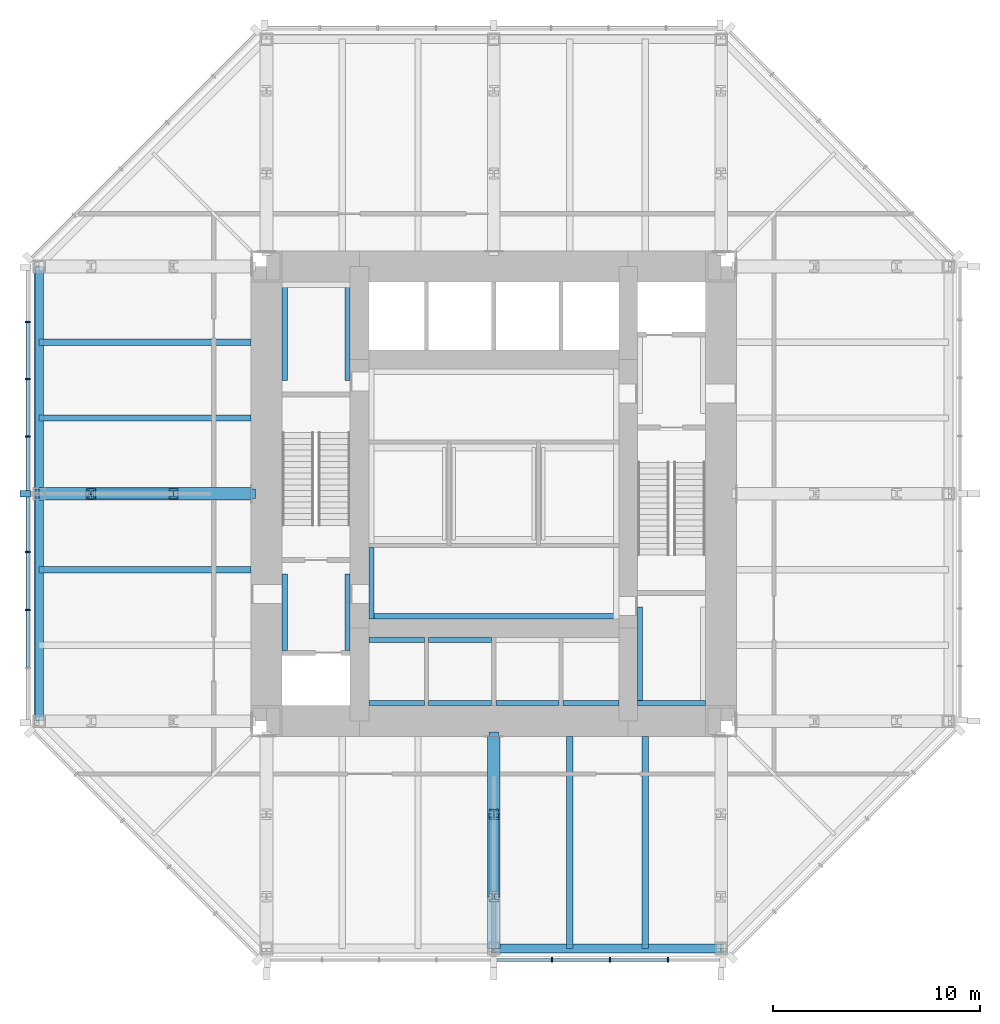
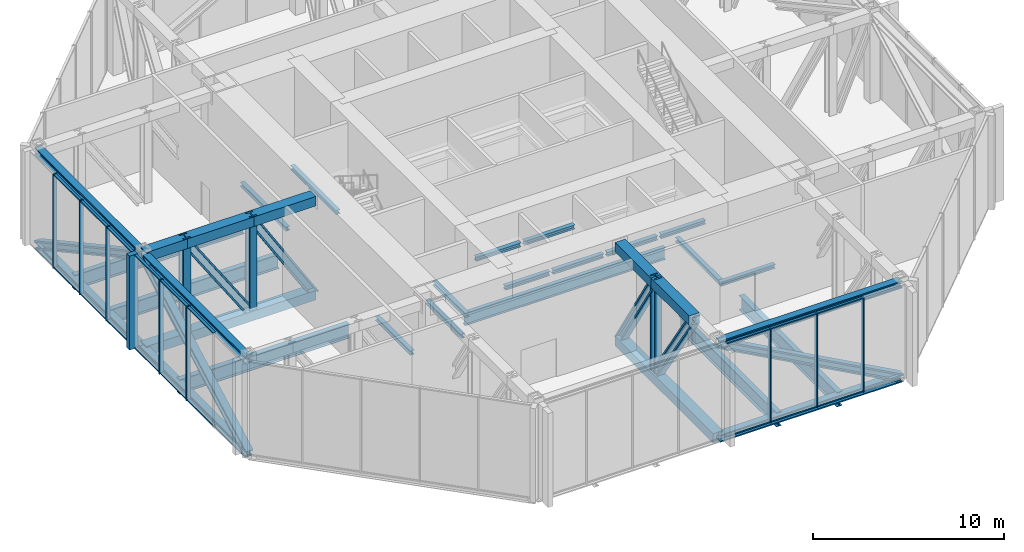
# One storey, part 3 of 11: 38 members, 32 beams, 2 elements without a shape of their own.
"""IFC4 building model written with IfcOpenShell, lengths in metres."""

from ifc_helpers import new_model, si_unit, direction, frame, origin, origin_2d, place, context, subcontext, project, spatial, rectangle, hollow_rectangle, i_section, extrude, material, material_profile, profile_set, type_object, element, aggregate, save


model = new_model("IFC4")

# Units and contexts
model_context = context("Model", 3, precision=1e-05, world=origin(), true_north=direction((0.0, 1.0)))
body_context = subcontext(model_context, "Body", "Model", "MODEL_VIEW")
ifc_project = project(units=[si_unit("LENGTHUNIT", "METRE"), si_unit("AREAUNIT", "SQUARE_METRE"), si_unit("VOLUMEUNIT", "CUBIC_METRE"), si_unit("PLANEANGLEUNIT", "RADIAN"), si_unit("MASSUNIT", "GRAM", prefix="KILO")], contexts=[model_context])

# Site, building, storey
site_placement = place(None, origin())
site = spatial("IfcSite", under=ifc_project, at=site_placement, CompositionType="ELEMENT")
building_placement = place(site_placement, origin())
building = spatial("IfcBuilding", under=site, at=building_placement, Name="Trevanion Tower", CompositionType="ELEMENT")
storey_placement = place(building_placement, frame((0.0, 0.0, 178.699951171875)))
storey = spatial("IfcBuildingStorey", under=building, at=storey_placement, Name="L42", CompositionType="ELEMENT", Elevation=178.699951171875)

# Beams
ifc_material_1 = material(Name="Steel ASTM A992 Grade 50", Category="steel")
ifc_material_profile_1 = material_profile(ifc_material_1, i_section(OverallWidth=0.307373046875, OverallDepth=0.922119140625, WebThickness=0.018310546875, FlangeThickness=0.030029296875, at=origin_2d()), Name="W36X182")
ifc_profile_set_1 = profile_set([ifc_material_profile_1], Name="Steel ASTM A992 Grade 50")
beam_type_1 = type_object("IfcBeamType", Name="B9 W36X182", PredefinedType="BEAM", material=ifc_profile_set_1)
for number, where, z_axis, x_axis, name in (
    (1, (-11.75, 7.333251953125, -0.65087890625), (-1.0, 0.0, 0.0), (0.0, -1.0, 0.0), "B9 L42"),
    (2, (-11.75, 3.666748046875, -0.65087890625), (-1.0, 0.0, 0.0), (0.0, -1.0, 0.0), "B9 L42"),
    (3, (-11.75, -3.666748046875, -0.65087890625), (-1.0, 0.0, 0.0), (0.0, -1.0, 0.0), "B9 L42"),
    (4, (3.666748046875, -11.75, -0.65087890625), (0.0, -1.0, 0.0), (1.0, 0.0, 0.0), "B9 L42"),
    (5, (7.333251953125, -11.75, -0.65087890625), (0.0, -1.0, 0.0), (1.0, 0.0, 0.0), "B9 L42"),
):
    element("IfcBeam", number, at=place(storey_placement, frame(where, z_axis=z_axis, x_axis=x_axis)), inside=storey, type_object=beam_type_1, Name=name, PredefinedType="BEAM", context=body_context, shape_type="SweptSolid", body=[
        extrude(i_section(OverallWidth=0.307373046875, OverallDepth=0.922119140625, WebThickness=0.018310546875, FlangeThickness=0.030029296875, at=origin_2d()), origin(), (0.0, 0.0, 1.0), 10.25),
    ])
ifc_material_2 = material(Name="Steel ASTM A992 Grade 50", Category="steel")
ifc_material_profile_2 = material_profile(ifc_material_2, i_section(OverallWidth=0.421630859375, OverallDepth=0.46484375, WebThickness=0.044921875, FlangeThickness=0.072509765625, at=origin_2d()), Name="W14X398")
ifc_profile_set_2 = profile_set([ifc_material_profile_2], Name="Steel ASTM A992 Grade 50")
beam_type_2 = type_object("IfcBeamType", Name="BT2-CH W14X398", PredefinedType="BEAM", material=ifc_profile_set_2)
for number, where, z_axis, x_axis, name in (
    (6, (-22.0, 11.0, -0.494873046875), (0.0, -1.0, 0.0), (1.0, 0.0, 0.0), "BT2 belt truss chord"),
    (7, (-22.0, 11.0, 5.505126953125), (0.0, -1.0, 0.0), (1.0, 0.0, 0.0), "BT2 belt truss chord"),
    (8, (-22.0, 0.0, -0.494873046875), (0.0, -1.0, 0.0), (1.0, 0.0, 0.0), "BT2 belt truss chord"),
    (9, (-22.0, 0.0, 5.505126953125), (0.0, -1.0, 0.0), (1.0, 0.0, 0.0), "BT2 belt truss chord"),
    (10, (0.0, -22.0, -0.494873046875), (1.0, 0.0, 0.0), (0.0, 1.0, 0.0), "BT2 belt truss chord"),
    (11, (0.0, -22.0, 5.505126953125), (1.0, 0.0, 0.0), (0.0, 1.0, 0.0), "BT2 belt truss chord"),
):
    element("IfcBeam", number, at=place(storey_placement, frame(where, z_axis=z_axis, x_axis=x_axis)), inside=storey, type_object=beam_type_2, Name=name, PredefinedType="BEAM", context=body_context, shape_type="SweptSolid", body=[
        extrude(i_section(OverallWidth=0.421630859375, OverallDepth=0.46484375, WebThickness=0.044921875, FlangeThickness=0.072509765625, at=origin_2d()), origin(), (0.0, 0.0, 1.0), 11.0),
    ])

# Members
ifc_material_3 = material(Name="Steel ASTM A992 Grade 50", Category="steel")
ifc_material_profile_3 = material_profile(ifc_material_3, i_section(OverallWidth=0.431884765625, OverallDepth=0.497802734375, WebThickness=0.0556640625, FlangeThickness=0.0888671875, at=origin_2d()), Name="W14X500")
ifc_profile_set_3 = profile_set([ifc_material_profile_3], Name="Steel ASTM A992 Grade 50")
member_type_1 = type_object("IfcMemberType", Name="BT2-D W14X500", PredefinedType="BRACE", material=ifc_profile_set_3)
for number, where, z_axis, x_axis, name in (
    (12, (-22.0, 11.0, -0.494873046875), (0.0, -0.877895572914, 0.478852130681), (1.0, 0.0, 0.0), "BT2 belt truss diagonal"),
    (13, (-22.0, -11.0, -0.494873046875), (0.0, 0.877895572914, 0.478852130681), (-1.0, 0.0, 0.0), "BT2 belt truss diagonal"),
    (14, (11.0, -22.0, -0.494873046875), (-0.877895572914, 0.0, 0.478852130681), (0.0, -1.0, 0.0), "BT2 belt truss diagonal"),
):
    element("IfcMember", number, at=place(storey_placement, frame(where, z_axis=z_axis, x_axis=x_axis)), inside=storey, type_object=member_type_1, Name=name, PredefinedType="BRACE", context=body_context, shape_type="SweptSolid", body=[
        extrude(i_section(OverallWidth=0.431884765625, OverallDepth=0.497802734375, WebThickness=0.0556640625, FlangeThickness=0.0888671875, at=origin_2d()), origin(), (0.0, 0.0, 1.0), 12.530029296875),
    ])

# Curtain wall, members
ifc_material_4 = material(Name="Aluminium louvres", Category="aluminium")
curtain_wall_type = type_object("IfcCurtainWallType", Name="CWL curtain wall", PredefinedType="USERDEFINED", material=ifc_material_4)
curtain_wall_1_placement = place(storey_placement, origin())
curtain_wall_1 = element("IfcCurtainWall", 15, at=curtain_wall_1_placement, inside=storey, type_object=curtain_wall_type, Name="CWL L42 4", ObjectType="LOUVRE SCREEN", PredefinedType="USERDEFINED")
ifc_material_5 = material(Name="Aluminium extrusion, anodised bronze", Category="aluminium")
ifc_material_profile_4 = material_profile(ifc_material_5, rectangle(XDim=0.074951171875, YDim=0.25, at=origin_2d()), Name="CWL mullion")
ifc_profile_set_4 = profile_set([ifc_material_profile_4], Name="Aluminium extrusion, anodised bronze")
member_type_2 = type_object("IfcMemberType", Name="CWL mullion", PredefinedType="MULLION", material=ifc_profile_set_4)
member_1_placement = place(storey_placement, frame((-22.550048828125, 8.323486328125, -0.18994140625), z_axis=(0.0, 0.0, 1.0), x_axis=(0.0, -1.0, 0.0)))
member_1 = element("IfcMember", 16, at=member_1_placement, type_object=member_type_2, Name="CWL mullion 2", PredefinedType="MULLION", context=body_context, shape_type="SweptSolid", body=[
    extrude(rectangle(XDim=0.074951171875, YDim=0.25, at=origin_2d()), origin(), (0.0, 0.0, 1.0), 6.0),
])
member_2_placement = place(storey_placement, frame((-22.550048828125, 5.548828125, -0.18994140625), z_axis=(0.0, 0.0, 1.0), x_axis=(0.0, -1.0, 0.0)))
member_2 = element("IfcMember", 17, at=member_2_placement, type_object=member_type_2, Name="CWL mullion 3", PredefinedType="MULLION", context=body_context, shape_type="SweptSolid", body=[
    extrude(rectangle(XDim=0.074951171875, YDim=0.25, at=origin_2d()), origin(), (0.0, 0.0, 1.0), 6.0),
])
member_3_placement = place(storey_placement, frame((-22.550048828125, 2.7744140625, -0.18994140625), z_axis=(0.0, 0.0, 1.0), x_axis=(0.0, -1.0, 0.0)))
member_3 = element("IfcMember", 18, at=member_3_placement, type_object=member_type_2, Name="CWL mullion 4", PredefinedType="MULLION", context=body_context, shape_type="SweptSolid", body=[
    extrude(rectangle(XDim=0.074951171875, YDim=0.25, at=origin_2d()), origin(), (0.0, 0.0, 1.0), 6.0),
])
member_4_placement = place(storey_placement, frame((-22.550048828125, -2.806884765625, -0.18994140625), z_axis=(0.0, 0.0, 1.0), x_axis=(0.0, -1.0, 0.0)))
member_4 = element("IfcMember", 19, at=member_4_placement, type_object=member_type_2, Name="CWL mullion 6", PredefinedType="MULLION", context=body_context, shape_type="SweptSolid", body=[
    extrude(rectangle(XDim=0.074951171875, YDim=0.25, at=origin_2d()), origin(), (0.0, 0.0, 1.0), 6.0),
])
member_5_placement = place(storey_placement, frame((-22.550048828125, -5.614013671875, -0.18994140625), z_axis=(0.0, 0.0, 1.0), x_axis=(0.0, -1.0, 0.0)))
member_5 = element("IfcMember", 20, at=member_5_placement, type_object=member_type_2, Name="CWL mullion 7", PredefinedType="MULLION", context=body_context, shape_type="SweptSolid", body=[
    extrude(rectangle(XDim=0.074951171875, YDim=0.25, at=origin_2d()), origin(), (0.0, 0.0, 1.0), 6.0),
])

curtain_wall_2_placement = place(storey_placement, origin())
curtain_wall_2 = element("IfcCurtainWall", 21, at=curtain_wall_2_placement, inside=storey, type_object=curtain_wall_type, Name="CWL L42 6", ObjectType="LOUVRE SCREEN", PredefinedType="USERDEFINED")
member_6_placement = place(storey_placement, frame((2.806884765625, -22.550048828125, -0.18994140625), z_axis=(0.0, 0.0, 1.0), x_axis=(1.0, 0.0, 0.0)))
member_6 = element("IfcMember", 22, at=member_6_placement, type_object=member_type_2, Name="CWL mullion 6", PredefinedType="MULLION", context=body_context, shape_type="SweptSolid", body=[
    extrude(rectangle(XDim=0.074951171875, YDim=0.25, at=origin_2d()), origin(), (0.0, 0.0, 1.0), 6.0),
])
member_7_placement = place(storey_placement, frame((5.614013671875, -22.550048828125, -0.18994140625), z_axis=(0.0, 0.0, 1.0), x_axis=(1.0, 0.0, 0.0)))
member_7 = element("IfcMember", 23, at=member_7_placement, type_object=member_type_2, Name="CWL mullion 7", PredefinedType="MULLION", context=body_context, shape_type="SweptSolid", body=[
    extrude(rectangle(XDim=0.074951171875, YDim=0.25, at=origin_2d()), origin(), (0.0, 0.0, 1.0), 6.0),
])
member_8_placement = place(storey_placement, frame((8.4208984375, -22.550048828125, -0.18994140625), z_axis=(0.0, 0.0, 1.0), x_axis=(1.0, 0.0, 0.0)))
member_8 = element("IfcMember", 24, at=member_8_placement, type_object=member_type_2, Name="CWL mullion 8", PredefinedType="MULLION", context=body_context, shape_type="SweptSolid", body=[
    extrude(rectangle(XDim=0.074951171875, YDim=0.25, at=origin_2d()), origin(), (0.0, 0.0, 1.0), 6.0),
])

# Member
ifc_material_6 = material(Name="Aluminium extrusion, anodised bronze", Category="aluminium")
ifc_material_profile_5 = material_profile(ifc_material_6, rectangle(XDim=0.300048828125, YDim=0.5, at=origin_2d()), Name="CWL pier mullion")
ifc_profile_set_5 = profile_set([ifc_material_profile_5], Name="Aluminium extrusion, anodised bronze")
member_type_3 = type_object("IfcMemberType", Name="CWL pier mullion", PredefinedType="MULLION", material=ifc_profile_set_5)
member_9_placement = place(storey_placement, frame((-22.675048828125, 0.0, -0.18994140625), z_axis=(0.0, 0.0, 1.0), x_axis=(0.0, -1.0, 0.0)))
member_9 = element("IfcMember", 25, at=member_9_placement, type_object=member_type_3, Name="CWL pier mullion 5", PredefinedType="MULLION", context=body_context, shape_type="SweptSolid", body=[
    extrude(rectangle(XDim=0.300048828125, YDim=0.5, at=origin_2d()), origin(), (0.0, 0.0, 1.0), 6.0),
])

ifc_material_7 = material(Name="Aluminium extrusion, anodised bronze", Category="aluminium")
ifc_material_profile_6 = material_profile(ifc_material_7, rectangle(XDim=0.14990234375, YDim=0.074951171875, at=origin_2d()), Name="CWL transom")
ifc_profile_set_6 = profile_set([ifc_material_profile_6], Name="Aluminium extrusion, anodised bronze")
member_type_4 = type_object("IfcMemberType", Name="CWL transom", PredefinedType="USERDEFINED", material=ifc_profile_set_6)
member_10_placement = place(storey_placement, frame((-22.550048828125, 8.285888671875, -0.15234375), z_axis=(0.0, -1.0, 0.0), x_axis=(1.0, 0.0, 0.0)))
member_10 = element("IfcMember", 26, at=member_10_placement, type_object=member_type_4, Name="CWL transom 2.1", ObjectType="TRANSOM", PredefinedType="USERDEFINED", context=body_context, shape_type="SweptSolid", body=[
    extrude(rectangle(XDim=0.14990234375, YDim=0.074951171875, at=origin_2d()), origin(), (0.0, 0.0, 1.0), 2.699462890625),
])

member_11_placement = place(storey_placement, frame((-22.550048828125, 8.285888671875, 5.7724609375), z_axis=(0.0, -1.0, 0.0), x_axis=(1.0, 0.0, 0.0)))
member_11 = element("IfcMember", 27, at=member_11_placement, type_object=member_type_4, Name="CWL transom 2.2", ObjectType="TRANSOM", PredefinedType="USERDEFINED", context=body_context, shape_type="SweptSolid", body=[
    extrude(rectangle(XDim=0.14990234375, YDim=0.074951171875, at=origin_2d()), origin(), (0.0, 0.0, 1.0), 2.699462890625),
])

member_12_placement = place(storey_placement, frame((-22.550048828125, 5.511474609375, -0.15234375), z_axis=(0.0, -1.0, 0.0), x_axis=(1.0, 0.0, 0.0)))
member_12 = element("IfcMember", 28, at=member_12_placement, type_object=member_type_4, Name="CWL transom 3.1", ObjectType="TRANSOM", PredefinedType="USERDEFINED", context=body_context, shape_type="SweptSolid", body=[
    extrude(rectangle(XDim=0.14990234375, YDim=0.074951171875, at=origin_2d()), origin(), (0.0, 0.0, 1.0), 2.699462890625),
])

member_13_placement = place(storey_placement, frame((-22.550048828125, 5.511474609375, 5.7724609375), z_axis=(0.0, -1.0, 0.0), x_axis=(1.0, 0.0, 0.0)))
member_13 = element("IfcMember", 29, at=member_13_placement, type_object=member_type_4, Name="CWL transom 3.2", ObjectType="TRANSOM", PredefinedType="USERDEFINED", context=body_context, shape_type="SweptSolid", body=[
    extrude(rectangle(XDim=0.14990234375, YDim=0.074951171875, at=origin_2d()), origin(), (0.0, 0.0, 1.0), 2.699462890625),
])

member_14_placement = place(storey_placement, frame((-22.550048828125, 2.737060546875, -0.15234375), z_axis=(0.0, -1.0, 0.0), x_axis=(1.0, 0.0, 0.0)))
member_14 = element("IfcMember", 30, at=member_14_placement, type_object=member_type_4, Name="CWL transom 4.1", ObjectType="TRANSOM", PredefinedType="USERDEFINED", context=body_context, shape_type="SweptSolid", body=[
    extrude(rectangle(XDim=0.14990234375, YDim=0.074951171875, at=origin_2d()), origin(), (0.0, 0.0, 1.0), 2.587158203125),
])

member_15_placement = place(storey_placement, frame((-22.550048828125, 2.737060546875, 5.7724609375), z_axis=(0.0, -1.0, 0.0), x_axis=(1.0, 0.0, 0.0)))
member_15 = element("IfcMember", 31, at=member_15_placement, type_object=member_type_4, Name="CWL transom 4.2", ObjectType="TRANSOM", PredefinedType="USERDEFINED", context=body_context, shape_type="SweptSolid", body=[
    extrude(rectangle(XDim=0.14990234375, YDim=0.074951171875, at=origin_2d()), origin(), (0.0, 0.0, 1.0), 2.587158203125),
])

member_16_placement = place(storey_placement, frame((-22.550048828125, -0.14990234375, -0.15234375), z_axis=(0.0, -1.0, 0.0), x_axis=(1.0, 0.0, 0.0)))
member_16 = element("IfcMember", 32, at=member_16_placement, type_object=member_type_4, Name="CWL transom 5.1", ObjectType="TRANSOM", PredefinedType="USERDEFINED", context=body_context, shape_type="SweptSolid", body=[
    extrude(rectangle(XDim=0.14990234375, YDim=0.074951171875, at=origin_2d()), origin(), (0.0, 0.0, 1.0), 2.619384765625),
])

member_17_placement = place(storey_placement, frame((-22.550048828125, -0.14990234375, 5.7724609375), z_axis=(0.0, -1.0, 0.0), x_axis=(1.0, 0.0, 0.0)))
member_17 = element("IfcMember", 33, at=member_17_placement, type_object=member_type_4, Name="CWL transom 5.2", ObjectType="TRANSOM", PredefinedType="USERDEFINED", context=body_context, shape_type="SweptSolid", body=[
    extrude(rectangle(XDim=0.14990234375, YDim=0.074951171875, at=origin_2d()), origin(), (0.0, 0.0, 1.0), 2.619384765625),
])

member_18_placement = place(storey_placement, frame((-22.550048828125, -2.844482421875, -0.15234375), z_axis=(0.0, -1.0, 0.0), x_axis=(1.0, 0.0, 0.0)))
member_18 = element("IfcMember", 34, at=member_18_placement, type_object=member_type_4, Name="CWL transom 6.1", ObjectType="TRANSOM", PredefinedType="USERDEFINED", context=body_context, shape_type="SweptSolid", body=[
    extrude(rectangle(XDim=0.14990234375, YDim=0.074951171875, at=origin_2d()), origin(), (0.0, 0.0, 1.0), 2.73193359375),
])

member_19_placement = place(storey_placement, frame((-22.550048828125, -2.844482421875, 5.7724609375), z_axis=(0.0, -1.0, 0.0), x_axis=(1.0, 0.0, 0.0)))
member_19 = element("IfcMember", 35, at=member_19_placement, type_object=member_type_4, Name="CWL transom 6.2", ObjectType="TRANSOM", PredefinedType="USERDEFINED", context=body_context, shape_type="SweptSolid", body=[
    extrude(rectangle(XDim=0.14990234375, YDim=0.074951171875, at=origin_2d()), origin(), (0.0, 0.0, 1.0), 2.73193359375),
])

member_20_placement = place(storey_placement, frame((-22.550048828125, -5.6513671875, -0.15234375), z_axis=(0.0, -1.0, 0.0), x_axis=(1.0, 0.0, 0.0)))
member_20 = element("IfcMember", 36, at=member_20_placement, type_object=member_type_4, Name="CWL transom 7.1", ObjectType="TRANSOM", PredefinedType="USERDEFINED", context=body_context, shape_type="SweptSolid", body=[
    extrude(rectangle(XDim=0.14990234375, YDim=0.074951171875, at=origin_2d()), origin(), (0.0, 0.0, 1.0), 2.73193359375),
])

member_21_placement = place(storey_placement, frame((-22.550048828125, -5.6513671875, 5.7724609375), z_axis=(0.0, -1.0, 0.0), x_axis=(1.0, 0.0, 0.0)))
member_21 = element("IfcMember", 37, at=member_21_placement, type_object=member_type_4, Name="CWL transom 7.2", ObjectType="TRANSOM", PredefinedType="USERDEFINED", context=body_context, shape_type="SweptSolid", body=[
    extrude(rectangle(XDim=0.14990234375, YDim=0.074951171875, at=origin_2d()), origin(), (0.0, 0.0, 1.0), 2.73193359375),
])

aggregate(curtain_wall_1, [member_1, member_2, member_3, member_9, member_4, member_5, member_10, member_11, member_12, member_13, member_14, member_15, member_16, member_17, member_18, member_19, member_20, member_21])

member_22_placement = place(storey_placement, frame((0.14990234375, -22.550048828125, -0.15234375), z_axis=(1.0, 0.0, 0.0), x_axis=(0.0, 1.0, 0.0)))
member_22 = element("IfcMember", 38, at=member_22_placement, type_object=member_type_4, Name="CWL transom 5.1", ObjectType="TRANSOM", PredefinedType="USERDEFINED", context=body_context, shape_type="SweptSolid", body=[
    extrude(rectangle(XDim=0.14990234375, YDim=0.074951171875, at=origin_2d()), origin(), (0.0, 0.0, 1.0), 2.619384765625),
])

member_23_placement = place(storey_placement, frame((0.14990234375, -22.550048828125, 5.7724609375), z_axis=(1.0, 0.0, 0.0), x_axis=(0.0, 1.0, 0.0)))
member_23 = element("IfcMember", 39, at=member_23_placement, type_object=member_type_4, Name="CWL transom 5.2", ObjectType="TRANSOM", PredefinedType="USERDEFINED", context=body_context, shape_type="SweptSolid", body=[
    extrude(rectangle(XDim=0.14990234375, YDim=0.074951171875, at=origin_2d()), origin(), (0.0, 0.0, 1.0), 2.619384765625),
])

member_24_placement = place(storey_placement, frame((2.844482421875, -22.550048828125, -0.15234375), z_axis=(1.0, 0.0, 0.0), x_axis=(0.0, 1.0, 0.0)))
member_24 = element("IfcMember", 40, at=member_24_placement, type_object=member_type_4, Name="CWL transom 6.1", ObjectType="TRANSOM", PredefinedType="USERDEFINED", context=body_context, shape_type="SweptSolid", body=[
    extrude(rectangle(XDim=0.14990234375, YDim=0.074951171875, at=origin_2d()), origin(), (0.0, 0.0, 1.0), 2.73193359375),
])

member_25_placement = place(storey_placement, frame((2.844482421875, -22.550048828125, 5.7724609375), z_axis=(1.0, 0.0, 0.0), x_axis=(0.0, 1.0, 0.0)))
member_25 = element("IfcMember", 41, at=member_25_placement, type_object=member_type_4, Name="CWL transom 6.2", ObjectType="TRANSOM", PredefinedType="USERDEFINED", context=body_context, shape_type="SweptSolid", body=[
    extrude(rectangle(XDim=0.14990234375, YDim=0.074951171875, at=origin_2d()), origin(), (0.0, 0.0, 1.0), 2.73193359375),
])

member_26_placement = place(storey_placement, frame((5.6513671875, -22.550048828125, -0.15234375), z_axis=(1.0, 0.0, 0.0), x_axis=(0.0, 1.0, 0.0)))
member_26 = element("IfcMember", 42, at=member_26_placement, type_object=member_type_4, Name="CWL transom 7.1", ObjectType="TRANSOM", PredefinedType="USERDEFINED", context=body_context, shape_type="SweptSolid", body=[
    extrude(rectangle(XDim=0.14990234375, YDim=0.074951171875, at=origin_2d()), origin(), (0.0, 0.0, 1.0), 2.73193359375),
])

member_27_placement = place(storey_placement, frame((5.6513671875, -22.550048828125, 5.7724609375), z_axis=(1.0, 0.0, 0.0), x_axis=(0.0, 1.0, 0.0)))
member_27 = element("IfcMember", 43, at=member_27_placement, type_object=member_type_4, Name="CWL transom 7.2", ObjectType="TRANSOM", PredefinedType="USERDEFINED", context=body_context, shape_type="SweptSolid", body=[
    extrude(rectangle(XDim=0.14990234375, YDim=0.074951171875, at=origin_2d()), origin(), (0.0, 0.0, 1.0), 2.73193359375),
])

aggregate(curtain_wall_2, [member_6, member_7, member_8, member_22, member_23, member_24, member_25, member_26, member_27])

# Beams
ifc_material_8 = material(Name="Steel ASTM A992 Grade 50", Category="steel")
ifc_material_profile_7 = material_profile(ifc_material_8, i_section(OverallWidth=0.256591796875, OverallDepth=0.26416015625, WebThickness=0.011962890625, FlangeThickness=0.01953125, at=origin_2d()), Name="W10X68")
ifc_profile_set_7 = profile_set([ifc_material_profile_7], Name="Steel ASTM A992 Grade 50")
beam_type_3 = type_object("IfcBeamType", Name="LB1 W10X68", PredefinedType="BEAM", material=ifc_profile_set_7)
beam_1_placement = place(storey_placement, frame((-5.921630859375, -6.050048828125, -0.33203125), z_axis=(0.0, 1.0, 0.0), x_axis=(-1.0, 0.0, 0.0)))
element("IfcBeam", 44, at=beam_1_placement, inside=storey, type_object=beam_type_3, Name="LB1 L42", PredefinedType="BEAM", context=body_context, shape_type="SweptSolid", body=[
    extrude(i_section(OverallWidth=0.256591796875, OverallDepth=0.26416015625, WebThickness=0.011962890625, FlangeThickness=0.01953125, at=origin_2d()), origin(), (0.0, 0.0, 1.0), 3.449951171875),
])
for number, where, z_axis, x_axis, name in (
    (45, (-10.12158203125, -7.574951171875, -0.33203125), (0.0, 1.0, 0.0), (-1.0, 0.0, 0.0), "LB1 L42"),
    (46, (-7.078369140625, -7.574951171875, -0.33203125), (0.0, 1.0, 0.0), (-1.0, 0.0, 0.0), "LB1 L42"),
):
    element("IfcBeam", number, at=place(storey_placement, frame(where, z_axis=z_axis, x_axis=x_axis)), inside=storey, type_object=beam_type_3, Name=name, PredefinedType="BEAM", context=body_context, shape_type="SweptSolid", body=[
        extrude(i_section(OverallWidth=0.256591796875, OverallDepth=0.26416015625, WebThickness=0.011962890625, FlangeThickness=0.01953125, at=origin_2d()), origin(), (0.0, 0.0, 1.0), 3.699951171875),
    ])
beam_2_placement = place(storey_placement, frame((7.078369140625, -10.25, -0.33203125), z_axis=(0.0, 1.0, 0.0), x_axis=(-1.0, 0.0, 0.0)))
element("IfcBeam", 47, at=beam_2_placement, inside=storey, type_object=beam_type_3, Name="LB1 L42", PredefinedType="BEAM", context=body_context, shape_type="SweptSolid", body=[
    extrude(i_section(OverallWidth=0.256591796875, OverallDepth=0.26416015625, WebThickness=0.011962890625, FlangeThickness=0.01953125, at=origin_2d()), origin(), (0.0, 0.0, 1.0), 4.77490234375),
])
beam_3_placement = place(storey_placement, frame((6.949951171875, -10.12158203125, -0.33203125), z_axis=(1.0, 0.0, 0.0), x_axis=(0.0, 1.0, 0.0)))
element("IfcBeam", 48, at=beam_3_placement, inside=storey, type_object=beam_type_3, Name="LB1 L42", PredefinedType="BEAM", context=body_context, shape_type="SweptSolid", body=[
    extrude(i_section(OverallWidth=0.256591796875, OverallDepth=0.26416015625, WebThickness=0.011962890625, FlangeThickness=0.01953125, at=origin_2d()), origin(), (0.0, 0.0, 1.0), 3.300048828125),
])
for number, where, z_axis, x_axis, name in (
    (49, (-10.12158203125, 5.47509765625, -0.33203125), (0.0, 1.0, 0.0), (-1.0, 0.0, 0.0), "LB1 L42"),
    (50, (-7.078369140625, 5.47509765625, -0.33203125), (0.0, 1.0, 0.0), (-1.0, 0.0, 0.0), "LB1 L42"),
):
    element("IfcBeam", number, at=place(storey_placement, frame(where, z_axis=z_axis, x_axis=x_axis)), inside=storey, type_object=beam_type_3, Name=name, PredefinedType="BEAM", context=body_context, shape_type="SweptSolid", body=[
        extrude(i_section(OverallWidth=0.256591796875, OverallDepth=0.26416015625, WebThickness=0.011962890625, FlangeThickness=0.01953125, at=origin_2d()), origin(), (0.0, 0.0, 1.0), 4.77490234375),
    ])
for number, where, z_axis, x_axis, name in (
    (51, (-6.050048828125, -10.12158203125, 3.968017578125), (1.0, 0.0, 0.0), (0.0, 1.0, 0.0), "LB1 L42"),
    (52, (-6.050048828125, -7.078369140625, 3.968017578125), (1.0, 0.0, 0.0), (0.0, 1.0, 0.0), "LB1 L42"),
):
    element("IfcBeam", number, at=place(storey_placement, frame(where, z_axis=z_axis, x_axis=x_axis)), inside=storey, type_object=beam_type_3, Name=name, PredefinedType="BEAM", context=body_context, shape_type="SweptSolid", body=[
        extrude(i_section(OverallWidth=0.256591796875, OverallDepth=0.26416015625, WebThickness=0.011962890625, FlangeThickness=0.01953125, at=origin_2d()), origin(), (0.0, 0.0, 1.0), 2.699951171875),
    ])
for number, where, z_axis, x_axis, name in (
    (53, (-3.14990234375, -10.12158203125, 3.968017578125), (1.0, 0.0, 0.0), (0.0, 1.0, 0.0), "LB1 L42"),
    (54, (-3.14990234375, -7.078369140625, 3.968017578125), (1.0, 0.0, 0.0), (0.0, 1.0, 0.0), "LB1 L42"),
    (55, (0.10009765625, -10.12158203125, 3.968017578125), (1.0, 0.0, 0.0), (0.0, 1.0, 0.0), "LB1 L42"),
):
    element("IfcBeam", number, at=place(storey_placement, frame(where, z_axis=z_axis, x_axis=x_axis)), inside=storey, type_object=beam_type_3, Name=name, PredefinedType="BEAM", context=body_context, shape_type="SweptSolid", body=[
        extrude(i_section(OverallWidth=0.256591796875, OverallDepth=0.26416015625, WebThickness=0.011962890625, FlangeThickness=0.01953125, at=origin_2d()), origin(), (0.0, 0.0, 1.0), 3.0498046875),
    ])
beam_4_placement = place(storey_placement, frame((3.35009765625, -10.12158203125, 3.968017578125), z_axis=(1.0, 0.0, 0.0), x_axis=(0.0, 1.0, 0.0)))
element("IfcBeam", 56, at=beam_4_placement, inside=storey, type_object=beam_type_3, Name="LB1 L42", PredefinedType="BEAM", context=body_context, shape_type="SweptSolid", body=[
    extrude(i_section(OverallWidth=0.256591796875, OverallDepth=0.26416015625, WebThickness=0.011962890625, FlangeThickness=0.01953125, at=origin_2d()), origin(), (0.0, 0.0, 1.0), 2.699951171875),
])
ifc_material_9 = material(Name="Steel ASTM A992 Grade 50", Category="steel")
ifc_material_profile_8 = material_profile(ifc_material_9, i_section(OverallWidth=0.2666015625, OverallDepth=0.76953125, WebThickness=0.015625, FlangeThickness=0.025390625, at=origin_2d()), Name="W30X132")
ifc_profile_set_8 = profile_set([ifc_material_profile_8], Name="Steel ASTM A992 Grade 50")
beam_type_4 = type_object("IfcBeamType", Name="LB3 W30X132", PredefinedType="BEAM", material=ifc_profile_set_8)
beam_5_placement = place(storey_placement, frame((-6.050048828125, -5.91650390625, -0.584716796875), z_axis=(1.0, 0.0, 0.0), x_axis=(0.0, 1.0, 0.0)))
element("IfcBeam", 57, at=beam_5_placement, inside=storey, type_object=beam_type_4, Name="LB3 L42", PredefinedType="BEAM", context=body_context, shape_type="SweptSolid", body=[
    extrude(i_section(OverallWidth=0.2666015625, OverallDepth=0.76953125, WebThickness=0.015625, FlangeThickness=0.025390625, at=origin_2d()), origin(), (0.0, 0.0, 1.0), 12.10009765625),
])
ifc_material_10 = material(Name="Steel ASTM A588 Grade 50", Category="steel")
ifc_material_profile_9 = material_profile(ifc_material_10, hollow_rectangle(XDim=0.609619140625, YDim=0.609619140625, WallThickness=0.203125, at=origin_2d()), Name="BOX24X24X8")
ifc_profile_set_9 = profile_set([ifc_material_profile_9], Name="Steel ASTM A588 Grade 50")
beam_type_5 = type_object("IfcBeamType", Name="OT2-CH BOX24X24X8", PredefinedType="BEAM", material=ifc_profile_set_9)
beam_6_placement = place(storey_placement, frame((-11.75, 0.0, -0.494873046875), z_axis=(-1.0, 0.0, 0.0), x_axis=(0.0, -1.0, 0.0)))
element("IfcBeam", 58, at=beam_6_placement, inside=storey, type_object=beam_type_5, Name="OT2 4/H outrigger and transfer truss chord", PredefinedType="BEAM", context=body_context, shape_type="SweptSolid", body=[
    extrude(hollow_rectangle(XDim=0.609619140625, YDim=0.609619140625, WallThickness=0.203125, at=origin_2d()), origin(), (0.0, 0.0, 1.0), 10.25),
])
beam_7_placement = place(storey_placement, frame((-11.75, 0.0, 5.505126953125), z_axis=(-1.0, 0.0, 0.0), x_axis=(0.0, -1.0, 0.0)))
element("IfcBeam", 59, at=beam_7_placement, inside=storey, type_object=beam_type_5, Name="OT2 4/H outrigger and transfer truss chord", PredefinedType="BEAM", context=body_context, shape_type="SweptSolid", body=[
    extrude(hollow_rectangle(XDim=0.609619140625, YDim=0.609619140625, WallThickness=0.203125, at=origin_2d()), origin(), (0.0, 0.0, 1.0), 3.75),
])
beam_8_placement = place(storey_placement, frame((-15.5, 0.0, 5.505126953125), z_axis=(-1.0, 0.0, 0.0), x_axis=(0.0, -1.0, 0.0)))
element("IfcBeam", 60, at=beam_8_placement, inside=storey, type_object=beam_type_5, Name="OT2 4/H outrigger and transfer truss chord", PredefinedType="BEAM", context=body_context, shape_type="SweptSolid", body=[
    extrude(hollow_rectangle(XDim=0.609619140625, YDim=0.609619140625, WallThickness=0.203125, at=origin_2d()), origin(), (0.0, 0.0, 1.0), 4.0),
])
beam_9_placement = place(storey_placement, frame((-19.5, 0.0, 5.505126953125), z_axis=(-1.0, 0.0, 0.0), x_axis=(0.0, -1.0, 0.0)))
element("IfcBeam", 61, at=beam_9_placement, inside=storey, type_object=beam_type_5, Name="OT2 4/H outrigger and transfer truss chord", PredefinedType="BEAM", context=body_context, shape_type="SweptSolid", body=[
    extrude(hollow_rectangle(XDim=0.609619140625, YDim=0.609619140625, WallThickness=0.203125, at=origin_2d()), origin(), (0.0, 0.0, 1.0), 2.5),
])
beam_10_placement = place(storey_placement, frame((0.0, -11.75, -0.494873046875), z_axis=(0.0, -1.0, 0.0), x_axis=(1.0, 0.0, 0.0)))
element("IfcBeam", 62, at=beam_10_placement, inside=storey, type_object=beam_type_5, Name="OT2 10/B outrigger and transfer truss chord", PredefinedType="BEAM", context=body_context, shape_type="SweptSolid", body=[
    extrude(hollow_rectangle(XDim=0.609619140625, YDim=0.609619140625, WallThickness=0.203125, at=origin_2d()), origin(), (0.0, 0.0, 1.0), 10.25),
])
beam_11_placement = place(storey_placement, frame((0.0, -11.75, 5.505126953125), z_axis=(0.0, -1.0, 0.0), x_axis=(1.0, 0.0, 0.0)))
element("IfcBeam", 63, at=beam_11_placement, inside=storey, type_object=beam_type_5, Name="OT2 10/B outrigger and transfer truss chord", PredefinedType="BEAM", context=body_context, shape_type="SweptSolid", body=[
    extrude(hollow_rectangle(XDim=0.609619140625, YDim=0.609619140625, WallThickness=0.203125, at=origin_2d()), origin(), (0.0, 0.0, 1.0), 3.75),
])
beam_12_placement = place(storey_placement, frame((0.0, -15.5, 5.505126953125), z_axis=(0.0, -1.0, 0.0), x_axis=(1.0, 0.0, 0.0)))
element("IfcBeam", 64, at=beam_12_placement, inside=storey, type_object=beam_type_5, Name="OT2 10/B outrigger and transfer truss chord", PredefinedType="BEAM", context=body_context, shape_type="SweptSolid", body=[
    extrude(hollow_rectangle(XDim=0.609619140625, YDim=0.609619140625, WallThickness=0.203125, at=origin_2d()), origin(), (0.0, 0.0, 1.0), 4.0),
])

# Members
ifc_material_11 = material(Name="Steel ASTM A992 Grade 50", Category="steel")
ifc_material_profile_10 = material_profile(ifc_material_11, i_section(OverallWidth=0.44189453125, OverallDepth=0.53076171875, WebThickness=0.06591796875, FlangeThickness=0.105712890625, at=origin_2d()), Name="W14X605")
ifc_profile_set_10 = profile_set([ifc_material_profile_10], Name="Steel ASTM A992 Grade 50")
member_type_5 = type_object("IfcMemberType", Name="OT2-D W14X605", PredefinedType="BRACE", material=ifc_profile_set_10)
member_28_placement = place(storey_placement, frame((-11.75, 0.0, -0.494873046875), z_axis=(-0.529998940003, 0.0, 0.847998304005), x_axis=(0.0, -1.0, 0.0)))
element("IfcMember", 65, at=member_28_placement, inside=storey, type_object=member_type_5, Name="OT2 4/H outrigger and transfer truss diagonal", PredefinedType="BRACE", context=body_context, shape_type="SweptSolid", body=[
    extrude(i_section(OverallWidth=0.44189453125, OverallDepth=0.53076171875, WebThickness=0.06591796875, FlangeThickness=0.105712890625, at=origin_2d()), origin(), (0.0, 0.0, 1.0), 7.075439453125),
])
member_29_placement = place(storey_placement, frame((-15.5, 0.0, -0.494873046875), z_axis=(-0.554700196225, 0.0, 0.832050294338), x_axis=(0.0, -1.0, 0.0)))
element("IfcMember", 66, at=member_29_placement, inside=storey, type_object=member_type_5, Name="OT2 4/H outrigger and transfer truss diagonal", PredefinedType="BRACE", context=body_context, shape_type="SweptSolid", body=[
    extrude(i_section(OverallWidth=0.44189453125, OverallDepth=0.53076171875, WebThickness=0.06591796875, FlangeThickness=0.105712890625, at=origin_2d()), origin(), (0.0, 0.0, 1.0), 7.211181640625),
])
member_30_placement = place(storey_placement, frame((-19.5, 0.0, -0.494873046875), z_axis=(-0.384615384615, 0.0, 0.923076923077), x_axis=(0.0, -1.0, 0.0)))
element("IfcMember", 67, at=member_30_placement, inside=storey, type_object=member_type_5, Name="OT2 4/H outrigger and transfer truss diagonal", PredefinedType="BRACE", context=body_context, shape_type="SweptSolid", body=[
    extrude(i_section(OverallWidth=0.44189453125, OverallDepth=0.53076171875, WebThickness=0.06591796875, FlangeThickness=0.105712890625, at=origin_2d()), origin(), (0.0, 0.0, 1.0), 6.5),
])
member_31_placement = place(storey_placement, frame((0.0, -11.75, -0.494873046875), z_axis=(0.0, -0.529998940003, 0.847998304005), x_axis=(1.0, 0.0, 0.0)))
element("IfcMember", 68, at=member_31_placement, inside=storey, type_object=member_type_5, Name="OT2 10/B outrigger and transfer truss diagonal", PredefinedType="BRACE", context=body_context, shape_type="SweptSolid", body=[
    extrude(i_section(OverallWidth=0.44189453125, OverallDepth=0.53076171875, WebThickness=0.06591796875, FlangeThickness=0.105712890625, at=origin_2d()), origin(), (0.0, 0.0, 1.0), 7.075439453125),
])
member_32_placement = place(storey_placement, frame((0.0, -15.5, -0.494873046875), z_axis=(0.0, -0.554700196225, 0.832050294338), x_axis=(1.0, 0.0, 0.0)))
element("IfcMember", 69, at=member_32_placement, inside=storey, type_object=member_type_5, Name="OT2 10/B outrigger and transfer truss diagonal", PredefinedType="BRACE", context=body_context, shape_type="SweptSolid", body=[
    extrude(i_section(OverallWidth=0.44189453125, OverallDepth=0.53076171875, WebThickness=0.06591796875, FlangeThickness=0.105712890625, at=origin_2d()), origin(), (0.0, 0.0, 1.0), 7.211181640625),
])
ifc_material_12 = material(Name="Steel ASTM A992 Grade 50", Category="steel")
ifc_material_profile_11 = material_profile(ifc_material_12, i_section(OverallWidth=0.436767578125, OverallDepth=0.51318359375, WebThickness=0.060546875, FlangeThickness=0.096923828125, at=origin_2d()), Name="W14X550")
ifc_profile_set_11 = profile_set([ifc_material_profile_11], Name="Steel ASTM A992 Grade 50")
member_type_6 = type_object("IfcMemberType", Name="OT2-V W14X550", PredefinedType="POST", material=ifc_profile_set_11)
for number, where, z_axis, x_axis, name in (
    (70, (-15.5, 0.0, -0.494873046875), (0.0, 0.0, 1.0), (1.0, 0.0, 0.0), "OT2 4/H outrigger and transfer truss vertical"),
    (71, (-19.5, 0.0, -0.494873046875), (0.0, 0.0, 1.0), (1.0, 0.0, 0.0), "OT2 4/H outrigger and transfer truss vertical"),
    (72, (0.0, -15.5, -0.494873046875), (0.0, 0.0, 1.0), (1.0, 0.0, 0.0), "OT2 10/B outrigger and transfer truss vertical"),
):
    element("IfcMember", number, at=place(storey_placement, frame(where, z_axis=z_axis, x_axis=x_axis)), inside=storey, type_object=member_type_6, Name=name, PredefinedType="POST", context=body_context, shape_type="SweptSolid", body=[
        extrude(i_section(OverallWidth=0.436767578125, OverallDepth=0.51318359375, WebThickness=0.060546875, FlangeThickness=0.096923828125, at=origin_2d()), origin(), (0.0, 0.0, 1.0), 6.304931640625),
    ])

save(model, "model.ifc")
